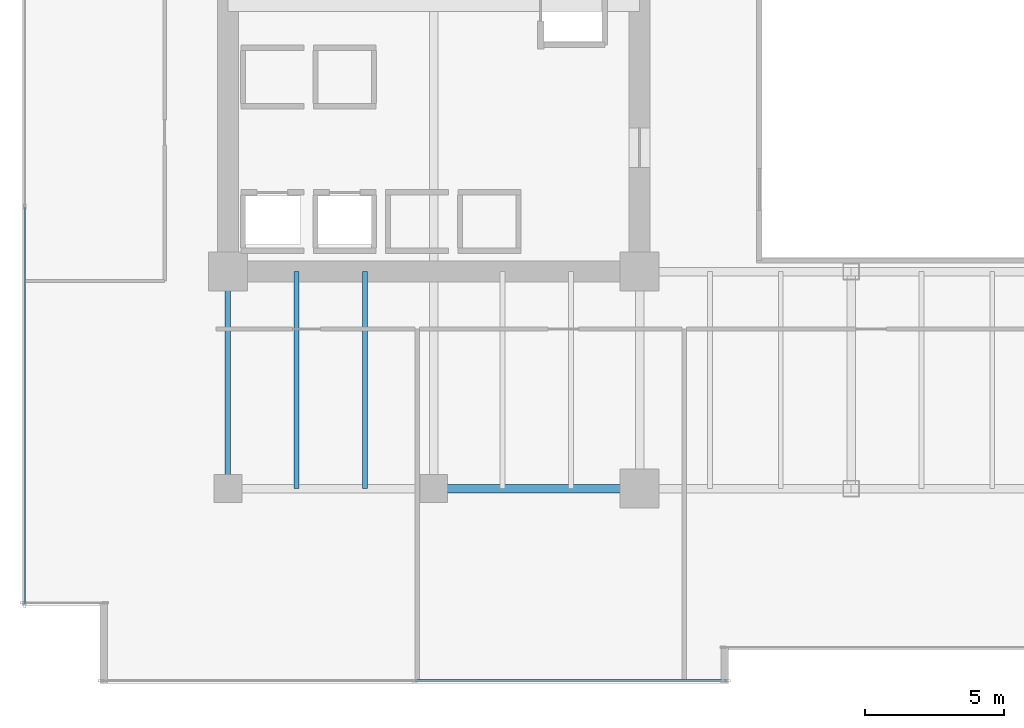
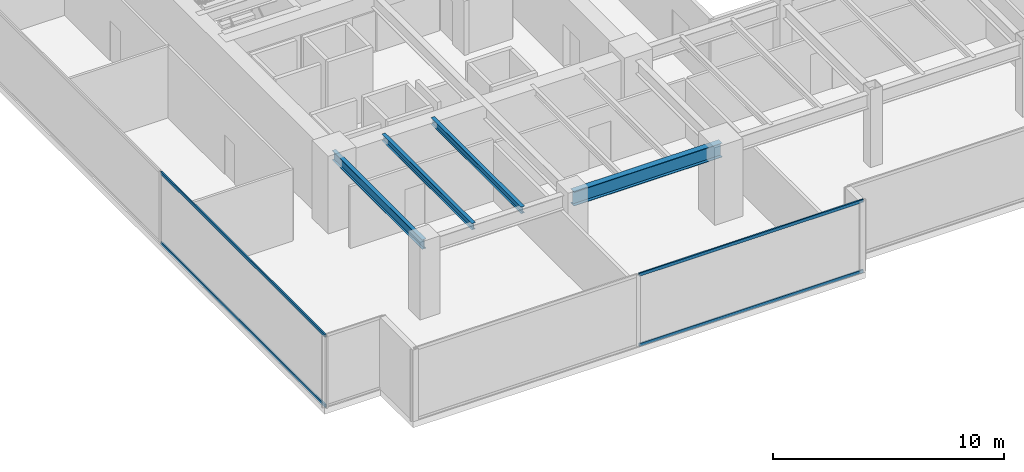
# One storey, part 3 of 35: 4 beams, 4 members, 2 elements without a shape of their own.
"""IFC4 building model written with IfcOpenShell, lengths in metres."""

from ifc_helpers import new_model, si_unit, direction, frame, origin, origin_2d, place, context, subcontext, project, spatial, hollow_rectangle, i_section, extrude, source, transform, mapped, material, layer, layer_set, material_profile, profile_set, type_object, type_shapes, element, aggregate, save


model = new_model("IFC4")

# Units and contexts
model_context = context("Model", 3, precision=1e-05, world=origin(), true_north=direction((0.0, 1.0)))
body_context = subcontext(model_context, "Body", "Model", "MODEL_VIEW")
ifc_project = project(units=[si_unit("LENGTHUNIT", "METRE"), si_unit("AREAUNIT", "SQUARE_METRE"), si_unit("VOLUMEUNIT", "CUBIC_METRE"), si_unit("PLANEANGLEUNIT", "RADIAN"), si_unit("MASSUNIT", "GRAM", prefix="KILO")], contexts=[model_context])

# Site, building, storey
site_placement = place(None, origin())
site = spatial("IfcSite", under=ifc_project, at=site_placement, CompositionType="ELEMENT")
building_placement = place(site_placement, origin())
building = spatial("IfcBuilding", under=site, at=building_placement, Name="Haelvirn Gate Laboratories", CompositionType="ELEMENT")
storey_placement = place(building_placement, frame((0.0, 0.0, 41.60009765625)))
storey = spatial("IfcBuildingStorey", under=building, at=storey_placement, Name="L10", CompositionType="ELEMENT", Elevation=41.60009765625)

# Beams
ifc_material_1 = material(Name="Steel SM355", Category="steel")
ifc_material_profile_1 = material_profile(ifc_material_1, i_section(OverallWidth=0.300048828125, OverallDepth=0.75, WebThickness=0.013916015625, FlangeThickness=0.02392578125, at=origin_2d()), Name="H-750x300x14x24")
ifc_profile_set_1 = profile_set([ifc_material_profile_1], Name="Steel SM355")
beam_type_1 = type_object("IfcBeamType", Name="BM-G-750", PredefinedType="BEAM", material=ifc_profile_set_1)
shared_shape_1 = source(origin(), body_context, "Body", "SweptSolid", [
    extrude(i_section(OverallWidth=0.300048828125, OverallDepth=0.75, WebThickness=0.013916015625, FlangeThickness=0.02392578125, at=origin_2d()), origin(), (0.0, 0.0, 1.0), 7.39990234375),
])
type_shapes(beam_type_1, [shared_shape_1])
beam_1_placement = place(storey_placement, frame((14.800048828125, 7.0, 3.40478515625), z_axis=(1.0, 0.0, 0.0), x_axis=(0.0, 1.0, 0.0)))
element("IfcBeam", 1, at=beam_1_placement, inside=storey, type_object=beam_type_1, Name="L10 Primary Girder Y7.0 (14.8-22.2)", PredefinedType="BEAM", context=body_context, shape_type="MappedRepresentation", body=[
    mapped(shared_shape_1, transform((0.0, 0.0, 0.0), scale=1.0)),
])
ifc_material_profile_2 = material_profile(ifc_material_1, i_section(OverallWidth=0.199951171875, OverallDepth=0.5, WebThickness=0.010009765625, FlangeThickness=0.01611328125, at=origin_2d()), Name="H-500x200x10x16")
ifc_profile_set_2 = profile_set([ifc_material_profile_2], Name="Steel SM355")
beam_type_2 = type_object("IfcBeamType", Name="BM-SP-500", PredefinedType="SPANDREL", material=ifc_profile_set_2)
shared_shape_2 = source(origin(), body_context, "Body", "SweptSolid", [
    extrude(i_section(OverallWidth=0.199951171875, OverallDepth=0.5, WebThickness=0.010009765625, FlangeThickness=0.01611328125, at=origin_2d()), origin(), (0.0, 0.0, 1.0), 7.800048828125),
])
type_shapes(beam_type_2, [shared_shape_2])
beam_2_placement = place(storey_placement, frame((7.39990234375, 7.0, 3.52978515625), z_axis=(0.0, 1.0, 0.0), x_axis=(-1.0, 0.0, 0.0)))
element("IfcBeam", 2, at=beam_2_placement, inside=storey, type_object=beam_type_2, Name="L10 Perimeter Spandrel X7.4 (7.0-14.8)", PredefinedType="SPANDREL", context=body_context, shape_type="MappedRepresentation", body=[
    mapped(shared_shape_2, transform((0.0, 0.0, 0.0), scale=1.0)),
])
ifc_material_profile_3 = material_profile(ifc_material_1, i_section(OverallWidth=0.175048828125, OverallDepth=0.35009765625, WebThickness=0.007080078125, FlangeThickness=0.010986328125, at=origin_2d()), Name="H-350x175x7x11")
ifc_profile_set_3 = profile_set([ifc_material_profile_3], Name="Steel SM355")
beam_type_3 = type_object("IfcBeamType", Name="BM-J-350", PredefinedType="JOIST", material=ifc_profile_set_3)
shared_shape_3 = source(origin(), body_context, "Body", "SweptSolid", [
    extrude(i_section(OverallWidth=0.175048828125, OverallDepth=0.35009765625, WebThickness=0.007080078125, FlangeThickness=0.010986328125, at=origin_2d()), origin(), (0.0, 0.0, 1.0), 7.800048828125),
])
type_shapes(beam_type_3, [shared_shape_3])
for number, where, z_axis, x_axis, name in (
    (3, (9.8701171875, 7.0, 3.60498046875), (0.0, 1.0, 0.0), (-1.0, 0.0, 0.0), "L10 Composite Lab Joist South X9.87"),
    (4, (12.330078125, 7.0, 3.60498046875), (0.0, 1.0, 0.0), (-1.0, 0.0, 0.0), "L10 Composite Lab Joist South X12.33"),
):
    element("IfcBeam", number, at=place(storey_placement, frame(where, z_axis=z_axis, x_axis=x_axis)), inside=storey, type_object=beam_type_3, Name=name, PredefinedType="JOIST", context=body_context, shape_type="MappedRepresentation", body=[
        mapped(shared_shape_3, transform((0.0, 0.0, 0.0), scale=1.0)),
    ])

# Curtain wall, members
ifc_material_2 = material(Name="Anodised bronze unitised aluminium & triple low-E glass", Category="aluminium")
ifc_layer = layer(ifc_material_2, 0.18408203125, Name="CW-SYS-2")
ifc_layer_set = layer_set([ifc_layer], Name="Anodised bronze unitised aluminium & triple low-E glass")
curtain_wall_type = type_object("IfcCurtainWallType", Name="CW-SYS-2", PredefinedType="NOTDEFINED", material=ifc_layer_set)
curtain_wall_1_placement = place(storey_placement, origin())
curtain_wall_1 = element("IfcCurtainWall", 5, at=curtain_wall_1_placement, inside=storey, type_object=curtain_wall_type, Name="L10 Unitised Curtain Wall CW-L10-P0-E00-1", PredefinedType="NOTDEFINED")
ifc_material_3 = material(Name="Extruded aluminium 6063-T6 (anodised bronze)", Category="aluminium")
ifc_material_profile_4 = material_profile(ifc_material_3, hollow_rectangle(XDim=0.070068359375, YDim=0.159912109375, WallThickness=0.0048828125, at=origin_2d()), Name="CWT-160x70x5")
ifc_profile_set_4 = profile_set([ifc_material_profile_4], Name="Extruded aluminium 6063-T6 (anodised bronze)")
member_type = type_object("IfcMemberType", Name="CWT-T160", PredefinedType="USERDEFINED", material=ifc_profile_set_4)
shared_shape_4 = source(origin(), body_context, "Body", "SweptSolid", [
    extrude(hollow_rectangle(XDim=0.070068359375, YDim=0.159912109375, WallThickness=0.0048828125, at=origin_2d()), origin(), (0.0, 0.0, 1.0), 11.1875),
])
member_1_placement = place(storey_placement, frame((14.137451171875, 0.10009765625, 0.034912109375), z_axis=(1.0, 0.0, 0.0), x_axis=(0.0, 1.0, 0.0)))
member_1 = element("IfcMember", 6, at=member_1_placement, type_object=member_type, Name="CW2 transom 2.1", ObjectType="TRANSOM", PredefinedType="USERDEFINED", context=body_context, shape_type="MappedRepresentation", body=[
    mapped(shared_shape_4, transform((0.0, 0.0, 0.0), scale=1.0)),
])
member_2_placement = place(storey_placement, frame((14.137451171875, 0.10009765625, 3.744873046875), z_axis=(1.0, 0.0, 0.0), x_axis=(0.0, 1.0, 0.0)))
member_2 = element("IfcMember", 7, at=member_2_placement, type_object=member_type, Name="CW2 transom 2.2", ObjectType="TRANSOM", PredefinedType="USERDEFINED", context=body_context, shape_type="MappedRepresentation", body=[
    mapped(shared_shape_4, transform((0.0, 0.0, 0.0), scale=1.0)),
])
aggregate(curtain_wall_1, [member_1, member_2])

curtain_wall_2_placement = place(storey_placement, origin())
curtain_wall_2 = element("IfcCurtainWall", 8, at=curtain_wall_2_placement, inside=storey, type_object=curtain_wall_type, Name="L10 Unitised Curtain Wall CW-L10-P0-E17", PredefinedType="NOTDEFINED")
shared_shape_5 = source(origin(), body_context, "Body", "SweptSolid", [
    extrude(hollow_rectangle(XDim=0.070068359375, YDim=0.159912109375, WallThickness=0.0048828125, at=origin_2d()), origin(), (0.0, 0.0, 1.0), 14.220947265625),
])
type_shapes(member_type, [shared_shape_4, shared_shape_5])
member_3_placement = place(storey_placement, frame((0.10009765625, 17.095947265625, 0.034912109375), z_axis=(0.0, -1.0, 0.0), x_axis=(1.0, 0.0, 0.0)))
member_3 = element("IfcMember", 9, at=member_3_placement, type_object=member_type, Name="CW2 transom 3.1", ObjectType="TRANSOM", PredefinedType="USERDEFINED", context=body_context, shape_type="MappedRepresentation", body=[
    mapped(shared_shape_5, transform((0.0, 0.0, 0.0), scale=1.0)),
])
member_4_placement = place(storey_placement, frame((0.10009765625, 17.095947265625, 3.744873046875), z_axis=(0.0, -1.0, 0.0), x_axis=(1.0, 0.0, 0.0)))
member_4 = element("IfcMember", 10, at=member_4_placement, type_object=member_type, Name="CW2 transom 3.2", ObjectType="TRANSOM", PredefinedType="USERDEFINED", context=body_context, shape_type="MappedRepresentation", body=[
    mapped(shared_shape_5, transform((0.0, 0.0, 0.0), scale=1.0)),
])
aggregate(curtain_wall_2, [member_3, member_4])

save(model, "model.ifc")
